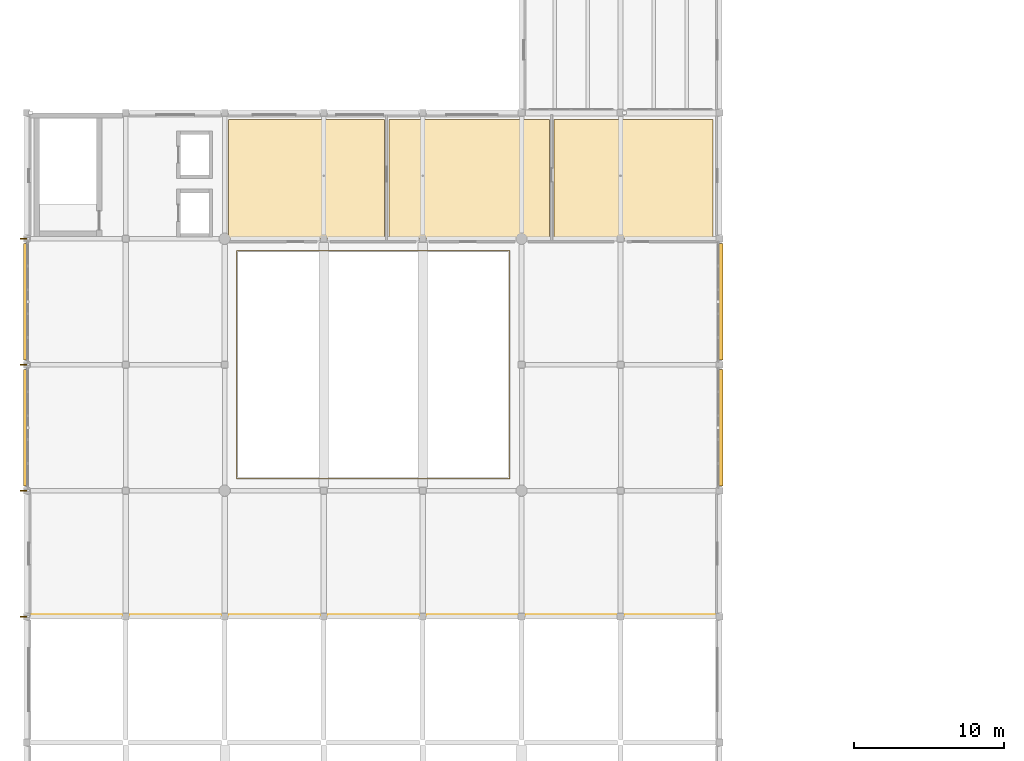
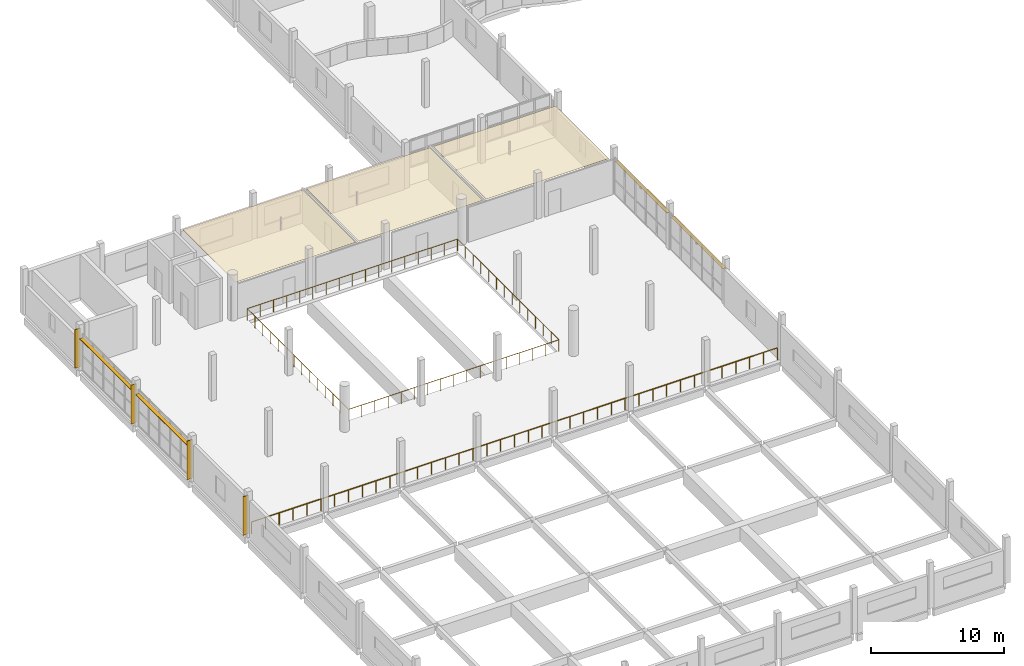
# One storey, part 66 of 74: 8 shading devices, 3 coverings, 2 railings.
"""IFC4 building model written with IfcOpenShell, lengths in metres."""

from ifc_helpers import new_model, si_unit, direction, frame, origin, origin_2d, place, context, subcontext, project, spatial, polyline, rectangle, circle, outline, extrude, material, layer, layer_set, type_object, element, save


model = new_model("IFC4")

# Units and contexts
model_context = context("Model", 3, precision=1e-05, world=origin(), true_north=direction((0.0, 1.0)))
body_context = subcontext(model_context, "Body", "Model", "MODEL_VIEW")
ifc_project = project(units=[si_unit("LENGTHUNIT", "METRE"), si_unit("AREAUNIT", "SQUARE_METRE"), si_unit("VOLUMEUNIT", "CUBIC_METRE"), si_unit("PLANEANGLEUNIT", "RADIAN"), si_unit("MASSUNIT", "GRAM", prefix="KILO")], contexts=[model_context])

# Site, building, storey
site_placement = place(None, origin())
site = spatial("IfcSite", under=ifc_project, at=site_placement, CompositionType="ELEMENT")
building_placement = place(site_placement, origin())
building = spatial("IfcBuilding", under=site, at=building_placement, Name="Qaldarim Faculty of Natural and Applied Sciences", CompositionType="ELEMENT")
storey_placement = place(building_placement, frame((0.0, 0.0, 14.39990234375)))
storey = spatial("IfcBuildingStorey", under=building, at=storey_placement, Name="L03", CompositionType="ELEMENT", Elevation=14.39990234375)

# Coverings
ifc_material_1 = material(Name="Acoustic mineral fibre")
ifc_layer_1 = layer(ifc_material_1, 0.02001953125)
ifc_layer_set_1 = layer_set([ifc_layer_1], Name="Acoustic mineral fibre")
covering_type = type_object("IfcCoveringType", Name="AcousticMineralCeiling-20", PredefinedType="CEILING", material=ifc_layer_set_1)
covering_1_placement = place(storey_placement, frame((0.0, 0.0, 3.190185546875)))
element("IfcCovering", 1, at=covering_1_placement, inside=storey, type_object=covering_type, Name="Acoustic seminar ceiling L03 V2 room 1", PredefinedType="CEILING", context=body_context, shape_type="SweptSolid", body=[
    extrude(outline(polyline([(13.449951171875, 75.60009765625), (23.85009765625, 75.60009765625), (23.85009765625, 83.550048828125), (13.449951171875, 83.550048828125), (13.449951171875, 75.60009765625)])), origin(), (0.0, 0.0, 1.0), 0.02001953125),
])
covering_2_placement = place(storey_placement, frame((0.0, 0.0, 3.190185546875)))
element("IfcCovering", 2, at=covering_2_placement, inside=storey, type_object=covering_type, Name="Acoustic seminar ceiling L03 V2 room 2", PredefinedType="CEILING", context=body_context, shape_type="SweptSolid", body=[
    extrude(outline(polyline([(24.14990234375, 75.60009765625), (34.85009765625, 75.60009765625), (34.85009765625, 83.550048828125), (24.14990234375, 83.550048828125), (24.14990234375, 75.60009765625)])), origin(), (0.0, 0.0, 1.0), 0.02001953125),
])
covering_3_placement = place(storey_placement, frame((0.0, 0.0, 3.190185546875)))
element("IfcCovering", 3, at=covering_3_placement, inside=storey, type_object=covering_type, Name="Acoustic seminar ceiling L03 V2 room 3", PredefinedType="CEILING", context=body_context, shape_type="SweptSolid", body=[
    extrude(outline(polyline([(35.14990234375, 75.60009765625), (45.75, 75.60009765625), (45.75, 83.550048828125), (35.14990234375, 83.550048828125), (35.14990234375, 75.60009765625)])), origin(), (0.0, 0.0, 1.0), 0.02001953125),
])

# Railings
ifc_material_2 = material(Name="Architectural stainless steel 316", Category="steel")
railing_type = type_object("IfcRailingType", Name="GuardBalustrade-1100", PredefinedType="BALUSTRADE", material=ifc_material_2)
railing_1_placement = place(storey_placement, frame((14.0, 59.60009765625, 0.0)))
element("IfcRailing", 4, at=railing_1_placement, inside=storey, type_object=railing_type, Name="Safety guard balustrade GRD-ATRIUM-L03", PredefinedType="BALUSTRADE", context=body_context, shape_type="SweptSolid", body=[
    extrude(circle(Radius=0.02392578125, at=origin_2d()), frame((0.00390625, 0.0, 1.076171875), z_axis=(1.0, 0.0, 0.0), x_axis=(0.0, 1.0, 0.0)), (0.0, 0.0, 1.0), 18.19189453125),
    extrude(circle(Radius=0.02392578125, at=origin_2d()), frame((18.199951171875, 0.00390625, 1.076171875), z_axis=(0.0, 1.0, 0.0), x_axis=(-1.0, 0.0, 0.0)), (0.0, 0.0, 1.0), 15.19189453125),
    extrude(circle(Radius=0.02392578125, at=origin_2d()), frame((18.196044921875, 15.199951171875, 1.076171875), z_axis=(-1.0, 0.0, 0.0), x_axis=(0.0, -1.0, 0.0)), (0.0, 0.0, 1.0), 18.19189453125),
    extrude(circle(Radius=0.02392578125, at=origin_2d()), frame((0.0, 15.196044921875, 1.076171875), z_axis=(0.0, -1.0, 0.0), x_axis=(1.0, 0.0, 0.0)), (0.0, 0.0, 1.0), 15.19189453125),
    extrude(circle(Radius=0.02099609375, at=origin_2d()), origin(), (0.0, 0.0, 1.0), 1.052001953125),
    extrude(circle(Radius=0.02099609375, at=origin_2d()), frame((1.137451171875, 0.0, 0.0)), (0.0, 0.0, 1.0), 1.052001953125),
    extrude(circle(Radius=0.02099609375, at=origin_2d()), frame((2.27490234375, 0.0, 0.0)), (0.0, 0.0, 1.0), 1.052001953125),
    extrude(circle(Radius=0.02099609375, at=origin_2d()), frame((3.41259765625, 0.0, 0.0)), (0.0, 0.0, 1.0), 1.052001953125),
    extrude(circle(Radius=0.02099609375, at=origin_2d()), frame((4.550048828125, 0.0, 0.0)), (0.0, 0.0, 1.0), 1.052001953125),
    extrude(circle(Radius=0.02099609375, at=origin_2d()), frame((5.6875, 0.0, 0.0)), (0.0, 0.0, 1.0), 1.052001953125),
    extrude(circle(Radius=0.02099609375, at=origin_2d()), frame((6.824951171875, 0.0, 0.0)), (0.0, 0.0, 1.0), 1.052001953125),
    extrude(circle(Radius=0.02099609375, at=origin_2d()), frame((7.96240234375, 0.0, 0.0)), (0.0, 0.0, 1.0), 1.052001953125),
    extrude(circle(Radius=0.02099609375, at=origin_2d()), frame((9.10009765625, 0.0, 0.0)), (0.0, 0.0, 1.0), 1.052001953125),
    extrude(circle(Radius=0.02099609375, at=origin_2d()), frame((10.237548828125, 0.0, 0.0)), (0.0, 0.0, 1.0), 1.052001953125),
    extrude(circle(Radius=0.02099609375, at=origin_2d()), frame((11.375, 0.0, 0.0)), (0.0, 0.0, 1.0), 1.052001953125),
    extrude(circle(Radius=0.02099609375, at=origin_2d()), frame((12.512451171875, 0.0, 0.0)), (0.0, 0.0, 1.0), 1.052001953125),
    extrude(circle(Radius=0.02099609375, at=origin_2d()), frame((13.64990234375, 0.0, 0.0)), (0.0, 0.0, 1.0), 1.052001953125),
    extrude(circle(Radius=0.02099609375, at=origin_2d()), frame((14.787353515625, 0.0, 0.0)), (0.0, 0.0, 1.0), 1.052001953125),
    extrude(circle(Radius=0.02099609375, at=origin_2d()), frame((15.925048828125, 0.0, 0.0)), (0.0, 0.0, 1.0), 1.052001953125),
    extrude(circle(Radius=0.02099609375, at=origin_2d()), frame((17.0625, 0.0, 0.0)), (0.0, 0.0, 1.0), 1.052001953125),
    extrude(circle(Radius=0.02099609375, at=origin_2d()), frame((18.199951171875, 0.0, 0.0)), (0.0, 0.0, 1.0), 1.052001953125),
    extrude(circle(Radius=0.02099609375, at=origin_2d()), frame((18.199951171875, 1.169189453125, 0.0)), (0.0, 0.0, 1.0), 1.052001953125),
    extrude(circle(Radius=0.02099609375, at=origin_2d()), frame((18.199951171875, 2.33837890625, 0.0)), (0.0, 0.0, 1.0), 1.052001953125),
    extrude(circle(Radius=0.02099609375, at=origin_2d()), frame((18.199951171875, 3.507568359375, 0.0)), (0.0, 0.0, 1.0), 1.052001953125),
    extrude(circle(Radius=0.02099609375, at=origin_2d()), frame((18.199951171875, 4.677001953125, 0.0)), (0.0, 0.0, 1.0), 1.052001953125),
    extrude(circle(Radius=0.02099609375, at=origin_2d()), frame((18.199951171875, 5.84619140625, 0.0)), (0.0, 0.0, 1.0), 1.052001953125),
    extrude(circle(Radius=0.02099609375, at=origin_2d()), frame((18.199951171875, 7.015380859375, 0.0)), (0.0, 0.0, 1.0), 1.052001953125),
    extrude(circle(Radius=0.02099609375, at=origin_2d()), frame((18.199951171875, 8.1845703125, 0.0)), (0.0, 0.0, 1.0), 1.052001953125),
    extrude(circle(Radius=0.02099609375, at=origin_2d()), frame((18.199951171875, 9.353759765625, 0.0)), (0.0, 0.0, 1.0), 1.052001953125),
    extrude(circle(Radius=0.02099609375, at=origin_2d()), frame((18.199951171875, 10.52294921875, 0.0)), (0.0, 0.0, 1.0), 1.052001953125),
    extrude(circle(Radius=0.02099609375, at=origin_2d()), frame((18.199951171875, 11.6923828125, 0.0)), (0.0, 0.0, 1.0), 1.052001953125),
    extrude(circle(Radius=0.02099609375, at=origin_2d()), frame((18.199951171875, 12.861572265625, 0.0)), (0.0, 0.0, 1.0), 1.052001953125),
    extrude(circle(Radius=0.02099609375, at=origin_2d()), frame((18.199951171875, 14.03076171875, 0.0)), (0.0, 0.0, 1.0), 1.052001953125),
    extrude(circle(Radius=0.02099609375, at=origin_2d()), frame((18.199951171875, 15.199951171875, 0.0)), (0.0, 0.0, 1.0), 1.052001953125),
    extrude(circle(Radius=0.02099609375, at=origin_2d()), frame((17.0625, 15.199951171875, 0.0)), (0.0, 0.0, 1.0), 1.052001953125),
    extrude(circle(Radius=0.02099609375, at=origin_2d()), frame((15.925048828125, 15.199951171875, 0.0)), (0.0, 0.0, 1.0), 1.052001953125),
    extrude(circle(Radius=0.02099609375, at=origin_2d()), frame((14.787353515625, 15.199951171875, 0.0)), (0.0, 0.0, 1.0), 1.052001953125),
    extrude(circle(Radius=0.02099609375, at=origin_2d()), frame((13.64990234375, 15.199951171875, 0.0)), (0.0, 0.0, 1.0), 1.052001953125),
    extrude(circle(Radius=0.02099609375, at=origin_2d()), frame((12.512451171875, 15.199951171875, 0.0)), (0.0, 0.0, 1.0), 1.052001953125),
    extrude(circle(Radius=0.02099609375, at=origin_2d()), frame((11.375, 15.199951171875, 0.0)), (0.0, 0.0, 1.0), 1.052001953125),
    extrude(circle(Radius=0.02099609375, at=origin_2d()), frame((10.237548828125, 15.199951171875, 0.0)), (0.0, 0.0, 1.0), 1.052001953125),
    extrude(circle(Radius=0.02099609375, at=origin_2d()), frame((9.10009765625, 15.199951171875, 0.0)), (0.0, 0.0, 1.0), 1.052001953125),
    extrude(circle(Radius=0.02099609375, at=origin_2d()), frame((7.96240234375, 15.199951171875, 0.0)), (0.0, 0.0, 1.0), 1.052001953125),
    extrude(circle(Radius=0.02099609375, at=origin_2d()), frame((6.824951171875, 15.199951171875, 0.0)), (0.0, 0.0, 1.0), 1.052001953125),
    extrude(circle(Radius=0.02099609375, at=origin_2d()), frame((5.6875, 15.199951171875, 0.0)), (0.0, 0.0, 1.0), 1.052001953125),
    extrude(circle(Radius=0.02099609375, at=origin_2d()), frame((4.550048828125, 15.199951171875, 0.0)), (0.0, 0.0, 1.0), 1.052001953125),
    extrude(circle(Radius=0.02099609375, at=origin_2d()), frame((3.41259765625, 15.199951171875, 0.0)), (0.0, 0.0, 1.0), 1.052001953125),
    extrude(circle(Radius=0.02099609375, at=origin_2d()), frame((2.27490234375, 15.199951171875, 0.0)), (0.0, 0.0, 1.0), 1.052001953125),
    extrude(circle(Radius=0.02099609375, at=origin_2d()), frame((1.137451171875, 15.199951171875, 0.0)), (0.0, 0.0, 1.0), 1.052001953125),
    extrude(circle(Radius=0.02099609375, at=origin_2d()), frame((0.0, 15.199951171875, 0.0)), (0.0, 0.0, 1.0), 1.052001953125),
    extrude(circle(Radius=0.02099609375, at=origin_2d()), frame((0.0, 14.03076171875, 0.0)), (0.0, 0.0, 1.0), 1.052001953125),
    extrude(circle(Radius=0.02099609375, at=origin_2d()), frame((0.0, 12.861572265625, 0.0)), (0.0, 0.0, 1.0), 1.052001953125),
    extrude(circle(Radius=0.02099609375, at=origin_2d()), frame((0.0, 11.6923828125, 0.0)), (0.0, 0.0, 1.0), 1.052001953125),
    extrude(circle(Radius=0.02099609375, at=origin_2d()), frame((0.0, 10.52294921875, 0.0)), (0.0, 0.0, 1.0), 1.052001953125),
    extrude(circle(Radius=0.02099609375, at=origin_2d()), frame((0.0, 9.353759765625, 0.0)), (0.0, 0.0, 1.0), 1.052001953125),
    extrude(circle(Radius=0.02099609375, at=origin_2d()), frame((0.0, 8.1845703125, 0.0)), (0.0, 0.0, 1.0), 1.052001953125),
    extrude(circle(Radius=0.02099609375, at=origin_2d()), frame((0.0, 7.015380859375, 0.0)), (0.0, 0.0, 1.0), 1.052001953125),
    extrude(circle(Radius=0.02099609375, at=origin_2d()), frame((0.0, 5.84619140625, 0.0)), (0.0, 0.0, 1.0), 1.052001953125),
    extrude(circle(Radius=0.02099609375, at=origin_2d()), frame((0.0, 4.677001953125, 0.0)), (0.0, 0.0, 1.0), 1.052001953125),
    extrude(circle(Radius=0.02099609375, at=origin_2d()), frame((0.0, 3.507568359375, 0.0)), (0.0, 0.0, 1.0), 1.052001953125),
    extrude(circle(Radius=0.02099609375, at=origin_2d()), frame((0.0, 2.33837890625, 0.0)), (0.0, 0.0, 1.0), 1.052001953125),
    extrude(circle(Radius=0.02099609375, at=origin_2d()), frame((0.0, 1.169189453125, 0.0)), (0.0, 0.0, 1.0), 1.052001953125),
])
railing_2_placement = place(storey_placement, frame((0.35009765625, 50.5, 0.0)))
element("IfcRailing", 5, at=railing_2_placement, inside=storey, type_object=railing_type, Name="Safety guard balustrade GRD-SHELL-PROM-L03", PredefinedType="BALUSTRADE", context=body_context, shape_type="SweptSolid", body=[
    extrude(circle(Radius=0.02392578125, at=origin_2d()), frame((0.0, 0.0, 1.076171875), z_axis=(1.0, 0.0, 0.0), x_axis=(0.0, 1.0, 0.0)), (0.0, 0.0, 1.0), 45.5),
    extrude(circle(Radius=0.02099609375, at=origin_2d()), origin(), (0.0, 0.0, 1.0), 1.052001953125),
    extrude(circle(Radius=0.02099609375, at=origin_2d()), frame((1.197265625, 0.0, 0.0)), (0.0, 0.0, 1.0), 1.052001953125),
    extrude(circle(Radius=0.02099609375, at=origin_2d()), frame((2.394775390625, 0.0, 0.0)), (0.0, 0.0, 1.0), 1.052001953125),
    extrude(circle(Radius=0.02099609375, at=origin_2d()), frame((3.592041015625, 0.0, 0.0)), (0.0, 0.0, 1.0), 1.052001953125),
    extrude(circle(Radius=0.02099609375, at=origin_2d()), frame((4.78955078125, 0.0, 0.0)), (0.0, 0.0, 1.0), 1.052001953125),
    extrude(circle(Radius=0.02099609375, at=origin_2d()), frame((5.98681640625, 0.0, 0.0)), (0.0, 0.0, 1.0), 1.052001953125),
    extrude(circle(Radius=0.02099609375, at=origin_2d()), frame((7.184326171875, 0.0, 0.0)), (0.0, 0.0, 1.0), 1.052001953125),
    extrude(circle(Radius=0.02099609375, at=origin_2d()), frame((8.381591796875, 0.0, 0.0)), (0.0, 0.0, 1.0), 1.052001953125),
    extrude(circle(Radius=0.02099609375, at=origin_2d()), frame((9.578857421875, 0.0, 0.0)), (0.0, 0.0, 1.0), 1.052001953125),
    extrude(circle(Radius=0.02099609375, at=origin_2d()), frame((10.7763671875, 0.0, 0.0)), (0.0, 0.0, 1.0), 1.052001953125),
    extrude(circle(Radius=0.02099609375, at=origin_2d()), frame((11.9736328125, 0.0, 0.0)), (0.0, 0.0, 1.0), 1.052001953125),
    extrude(circle(Radius=0.02099609375, at=origin_2d()), frame((13.171142578125, 0.0, 0.0)), (0.0, 0.0, 1.0), 1.052001953125),
    extrude(circle(Radius=0.02099609375, at=origin_2d()), frame((14.368408203125, 0.0, 0.0)), (0.0, 0.0, 1.0), 1.052001953125),
    extrude(circle(Radius=0.02099609375, at=origin_2d()), frame((15.565673828125, 0.0, 0.0)), (0.0, 0.0, 1.0), 1.052001953125),
    extrude(circle(Radius=0.02099609375, at=origin_2d()), frame((16.76318359375, 0.0, 0.0)), (0.0, 0.0, 1.0), 1.052001953125),
    extrude(circle(Radius=0.02099609375, at=origin_2d()), frame((17.96044921875, 0.0, 0.0)), (0.0, 0.0, 1.0), 1.052001953125),
    extrude(circle(Radius=0.02099609375, at=origin_2d()), frame((19.157958984375, 0.0, 0.0)), (0.0, 0.0, 1.0), 1.052001953125),
    extrude(circle(Radius=0.02099609375, at=origin_2d()), frame((20.355224609375, 0.0, 0.0)), (0.0, 0.0, 1.0), 1.052001953125),
    extrude(circle(Radius=0.02099609375, at=origin_2d()), frame((21.552734375, 0.0, 0.0)), (0.0, 0.0, 1.0), 1.052001953125),
    extrude(circle(Radius=0.02099609375, at=origin_2d()), frame((22.75, 0.0, 0.0)), (0.0, 0.0, 1.0), 1.052001953125),
    extrude(circle(Radius=0.02099609375, at=origin_2d()), frame((23.947265625, 0.0, 0.0)), (0.0, 0.0, 1.0), 1.052001953125),
    extrude(circle(Radius=0.02099609375, at=origin_2d()), frame((25.144775390625, 0.0, 0.0)), (0.0, 0.0, 1.0), 1.052001953125),
    extrude(circle(Radius=0.02099609375, at=origin_2d()), frame((26.342041015625, 0.0, 0.0)), (0.0, 0.0, 1.0), 1.052001953125),
    extrude(circle(Radius=0.02099609375, at=origin_2d()), frame((27.53955078125, 0.0, 0.0)), (0.0, 0.0, 1.0), 1.052001953125),
    extrude(circle(Radius=0.02099609375, at=origin_2d()), frame((28.73681640625, 0.0, 0.0)), (0.0, 0.0, 1.0), 1.052001953125),
    extrude(circle(Radius=0.02099609375, at=origin_2d()), frame((29.934326171875, 0.0, 0.0)), (0.0, 0.0, 1.0), 1.052001953125),
    extrude(circle(Radius=0.02099609375, at=origin_2d()), frame((31.131591796875, 0.0, 0.0)), (0.0, 0.0, 1.0), 1.052001953125),
    extrude(circle(Radius=0.02099609375, at=origin_2d()), frame((32.328857421875, 0.0, 0.0)), (0.0, 0.0, 1.0), 1.052001953125),
    extrude(circle(Radius=0.02099609375, at=origin_2d()), frame((33.5263671875, 0.0, 0.0)), (0.0, 0.0, 1.0), 1.052001953125),
    extrude(circle(Radius=0.02099609375, at=origin_2d()), frame((34.7236328125, 0.0, 0.0)), (0.0, 0.0, 1.0), 1.052001953125),
    extrude(circle(Radius=0.02099609375, at=origin_2d()), frame((35.921142578125, 0.0, 0.0)), (0.0, 0.0, 1.0), 1.052001953125),
    extrude(circle(Radius=0.02099609375, at=origin_2d()), frame((37.118408203125, 0.0, 0.0)), (0.0, 0.0, 1.0), 1.052001953125),
    extrude(circle(Radius=0.02099609375, at=origin_2d()), frame((38.315673828125, 0.0, 0.0)), (0.0, 0.0, 1.0), 1.052001953125),
    extrude(circle(Radius=0.02099609375, at=origin_2d()), frame((39.51318359375, 0.0, 0.0)), (0.0, 0.0, 1.0), 1.052001953125),
    extrude(circle(Radius=0.02099609375, at=origin_2d()), frame((40.71044921875, 0.0, 0.0)), (0.0, 0.0, 1.0), 1.052001953125),
    extrude(circle(Radius=0.02099609375, at=origin_2d()), frame((41.907958984375, 0.0, 0.0)), (0.0, 0.0, 1.0), 1.052001953125),
    extrude(circle(Radius=0.02099609375, at=origin_2d()), frame((43.105224609375, 0.0, 0.0)), (0.0, 0.0, 1.0), 1.052001953125),
    extrude(circle(Radius=0.02099609375, at=origin_2d()), frame((44.302734375, 0.0, 0.0)), (0.0, 0.0, 1.0), 1.052001953125),
    extrude(circle(Radius=0.02099609375, at=origin_2d()), frame((45.5, 0.0, 0.0)), (0.0, 0.0, 1.0), 1.052001953125),
])

# Shading devices
ifc_material_3 = material(Name="Champagne anodised aluminium AW-6063", Category="aluminium")
ifc_layer_2 = layer(ifc_material_3, 0.050048828125)
ifc_layer_set_2 = layer_set([ifc_layer_2], Name="Champagne anodised aluminium AW-6063")
shading_device_type_1 = type_object("IfcShadingDeviceType", Name="SolarLouvre-ALU300x50", PredefinedType="JALOUSIE", material=ifc_layer_set_2)
for number, where, z_axis, x_axis, name in (
    (6, (-0.070068359375, 63.0, 2.96484375), (0.0, 0.0, 1.0), (0.0, 1.0, 0.0), "Horizontal solar louvre L03 W X01Y08"),
    (7, (-0.070068359375, 71.39990234375, 2.96484375), (0.0, 0.0, 1.0), (0.0, 1.0, 0.0), "Horizontal solar louvre L03 W X01Y09"),
    (8, (46.27001953125, 63.0, 2.96484375), (0.0, 0.0, 1.0), (0.0, 1.0, 0.0), "Horizontal solar louvre L03 E X07Y08"),
    (9, (46.27001953125, 71.39990234375, 2.96484375), (0.0, 0.0, 1.0), (0.0, 1.0, 0.0), "Horizontal solar louvre L03 E X07Y09"),
):
    element("IfcShadingDevice", number, at=place(storey_placement, frame(where, z_axis=z_axis, x_axis=x_axis)), inside=storey, type_object=shading_device_type_1, Name=name, PredefinedType="JALOUSIE", context=body_context, shape_type="SweptSolid", body=[
        extrude(rectangle(XDim=7.760009765625, YDim=0.300048828125, at=origin_2d()), origin(), (0.0, 0.0, 1.0), 0.050048828125),
    ])
ifc_layer_3 = layer(ifc_material_3, 0.06005859375)
ifc_layer_set_3 = layer_set([ifc_layer_3], Name="Champagne anodised aluminium AW-6063")
shading_device_type_2 = type_object("IfcShadingDeviceType", Name="VerticalSunFin-ALU450x60", PredefinedType="SHUTTER", material=ifc_layer_set_3)
for number, where, z_axis, x_axis, name in (
    (10, (-0.22509765625, 50.39990234375, 0.2001953125), (0.0, 0.0, 1.0), (1.0, 0.0, 0.0), "Vertical solar fin FIN-L03-X01Y07"),
    (11, (-0.22509765625, 58.800048828125, 0.2001953125), (0.0, 0.0, 1.0), (1.0, 0.0, 0.0), "Vertical solar fin FIN-L03-X01Y08"),
    (12, (-0.22509765625, 67.199951171875, 0.2001953125), (0.0, 0.0, 1.0), (1.0, 0.0, 0.0), "Vertical solar fin FIN-L03-X01Y09"),
    (13, (-0.22509765625, 75.60009765625, 0.2001953125), (0.0, 0.0, 1.0), (1.0, 0.0, 0.0), "Vertical solar fin FIN-L03-X01Y10"),
):
    element("IfcShadingDevice", number, at=place(storey_placement, frame(where, z_axis=z_axis, x_axis=x_axis)), inside=storey, type_object=shading_device_type_2, Name=name, PredefinedType="SHUTTER", context=body_context, shape_type="SweptSolid", body=[
        extrude(rectangle(XDim=0.449951171875, YDim=0.06005859375, at=origin_2d()), origin(), (0.0, 0.0, 1.0), 3.5400390625),
    ])

save(model, "model.ifc")
